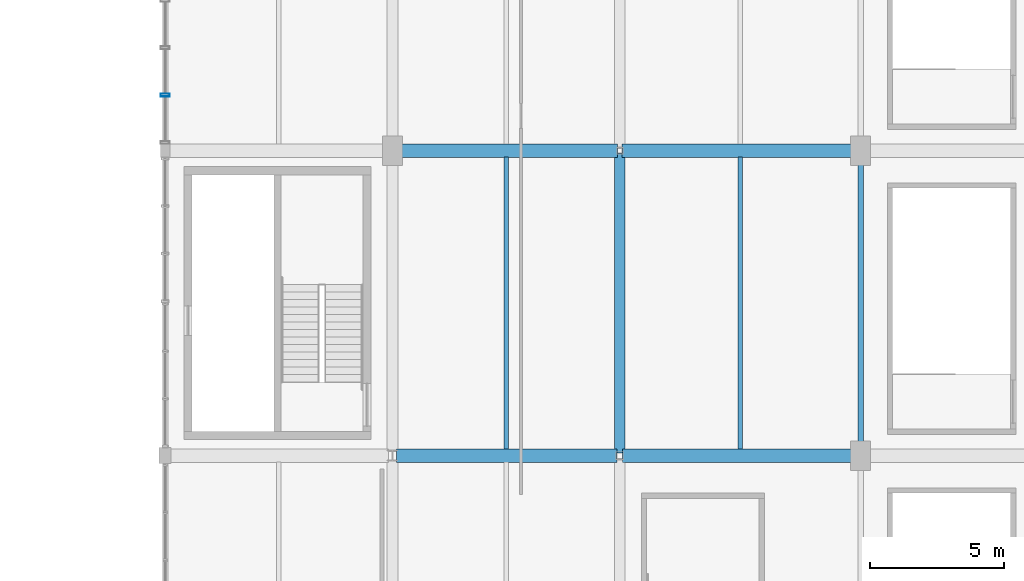
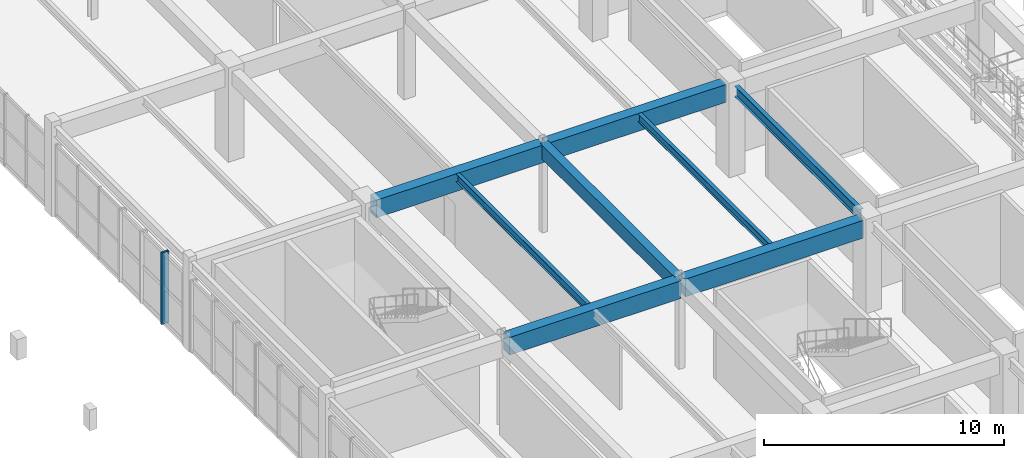
# One storey, part 41 of 106: 8 beams, 1 member, 1 element without a shape of its own.
"""IFC4 building model written with IfcOpenShell, lengths in metres."""

from ifc_helpers import new_model, si_unit, direction, frame, origin, origin_2d, place, context, subcontext, project, spatial, rectangle, hollow_rectangle, i_section, extrude, material, layer, layer_set, material_profile, profile_set, type_object, element, aggregate, save


model = new_model("IFC4")

# Units and contexts
model_context = context("Model", 3, precision=1e-05, world=origin(), true_north=direction((0.0, 1.0)))
body_context = subcontext(model_context, "Body", "Model", "MODEL_VIEW")
ifc_project = project(units=[si_unit("LENGTHUNIT", "METRE"), si_unit("AREAUNIT", "SQUARE_METRE"), si_unit("VOLUMEUNIT", "CUBIC_METRE"), si_unit("PLANEANGLEUNIT", "RADIAN"), si_unit("MASSUNIT", "GRAM", prefix="KILO"), si_unit("POWERUNIT", "WATT"), si_unit("THERMODYNAMICTEMPERATUREUNIT", "KELVIN")], contexts=[model_context])

# Site, building, storey
site_placement = place(None, origin())
site = spatial("IfcSite", under=ifc_project, at=site_placement, CompositionType="ELEMENT")
building_placement = place(site_placement, origin())
building = spatial("IfcBuilding", under=site, at=building_placement, Name="Kelmbourne Parkland Aquatics Centre", CompositionType="ELEMENT")
storey_placement = place(building_placement, frame((0.0, 0.0, 5.39990234375)))
storey = spatial("IfcBuildingStorey", under=building, at=storey_placement, Name="L01", CompositionType="ELEMENT", Elevation=5.39990234375)

# Beams
ifc_material_1 = material(Name="Concrete C40/50", Category="concrete")
ifc_material_profile_1 = material_profile(ifc_material_1, rectangle(XDim=0.5, YDim=0.89990234375, at=origin_2d()), Name="RC 500x900")
ifc_profile_set_1 = profile_set([ifc_material_profile_1], Name="Concrete C40/50")
beam_type_1 = type_object("IfcBeamType", Name="BM-G03", PredefinedType="BEAM", material=ifc_profile_set_1)
beam_1_placement = place(storey_placement, frame((110.655029296875, 35.0, 4.110107421875), z_axis=(1.0, 0.0, 0.0), x_axis=(0.0, 1.0, 0.0)))
element("IfcBeam", 1, at=beam_1_placement, inside=storey, type_object=beam_type_1, Name="Primary girder N-O Grid 05 (L02)", PredefinedType="BEAM", context=body_context, shape_type="SweptSolid", body=[
    extrude(rectangle(XDim=0.5, YDim=0.89990234375, at=origin_2d()), origin(), (0.0, 0.0, 1.0), 8.239990234375),
])
beam_2_placement = place(storey_placement, frame((119.10498046875, 35.0, 4.110107421875), z_axis=(1.0, 0.0, 0.0), x_axis=(0.0, 1.0, 0.0)))
element("IfcBeam", 2, at=beam_2_placement, inside=storey, type_object=beam_type_1, Name="Primary girder O-P Grid 05 (L02)", PredefinedType="BEAM", context=body_context, shape_type="SweptSolid", body=[
    extrude(rectangle(XDim=0.5, YDim=0.89990234375, at=origin_2d()), origin(), (0.0, 0.0, 1.0), 8.56494140625),
])
beam_3_placement = place(storey_placement, frame((110.830078125, 46.39990234375, 4.110107421875), z_axis=(1.0, 0.0, 0.0), x_axis=(0.0, 1.0, 0.0)))
element("IfcBeam", 3, at=beam_3_placement, inside=storey, type_object=beam_type_1, Name="Primary girder N-O Grid 06 (L02)", PredefinedType="BEAM", context=body_context, shape_type="SweptSolid", body=[
    extrude(rectangle(XDim=0.5, YDim=0.89990234375, at=origin_2d()), origin(), (0.0, 0.0, 1.0), 8.08984375),
])
beam_4_placement = place(storey_placement, frame((119.080078125, 46.39990234375, 4.110107421875), z_axis=(1.0, 0.0, 0.0), x_axis=(0.0, 1.0, 0.0)))
element("IfcBeam", 4, at=beam_4_placement, inside=storey, type_object=beam_type_1, Name="Primary girder O-P Grid 06 (L02)", PredefinedType="BEAM", context=body_context, shape_type="SweptSolid", body=[
    extrude(rectangle(XDim=0.5, YDim=0.89990234375, at=origin_2d()), origin(), (0.0, 0.0, 1.0), 8.58984375),
])
ifc_material_profile_2 = material_profile(ifc_material_1, rectangle(XDim=0.39990234375, YDim=0.699951171875, at=origin_2d()), Name="RC 400x700")
ifc_profile_set_2 = profile_set([ifc_material_profile_2], Name="Concrete C40/50")
beam_type_2 = type_object("IfcBeamType", Name="BM-G05", PredefinedType="BEAM", material=ifc_profile_set_2)
beam_5_placement = place(storey_placement, frame((119.0, 35.10498046875, 4.210205078125), z_axis=(0.0, 1.0, 0.0), x_axis=(-1.0, 0.0, 0.0)))
element("IfcBeam", 5, at=beam_5_placement, inside=storey, type_object=beam_type_2, Name="Primary girder 05-06 Grid O (L02)", PredefinedType="BEAM", context=body_context, shape_type="SweptSolid", body=[
    extrude(rectangle(XDim=0.39990234375, YDim=0.699951171875, at=origin_2d()), origin(), (0.0, 0.0, 1.0), 11.215087890625),
])
ifc_material_2 = material(Name="Structural steel AS/NZS 3679.1 Grade 300", Category="steel")
ifc_material_profile_3 = material_profile(ifc_material_2, i_section(OverallWidth=0.177978515625, OverallDepth=0.406005859375, WebThickness=0.0078125, FlangeThickness=0.0126953125, at=origin_2d()), Name="410UB59.7")
ifc_profile_set_3 = profile_set([ifc_material_profile_3], Name="Structural steel AS/NZS 3679.1 Grade 300")
beam_type_3 = type_object("IfcBeamType", Name="BM-J01", PredefinedType="JOIST", material=ifc_profile_set_3)
for number, where, z_axis, x_axis, name in (
    (6, (114.75, 35.241943359375, 4.357177734375), (0.0, 1.0, 0.0), (-1.0, 0.0, 0.0), "Secondary floor joist N-O/05-06 #1 (L02)"),
    (7, (123.5, 35.241943359375, 4.357177734375), (0.0, 1.0, 0.0), (-1.0, 0.0, 0.0), "Secondary floor joist O-P/05-06 #1 (L02)"),
):
    element("IfcBeam", number, at=place(storey_placement, frame(where, z_axis=z_axis, x_axis=x_axis)), inside=storey, type_object=beam_type_3, Name=name, PredefinedType="JOIST", context=body_context, shape_type="SweptSolid", body=[
        extrude(i_section(OverallWidth=0.177978515625, OverallDepth=0.406005859375, WebThickness=0.0078125, FlangeThickness=0.0126953125, at=origin_2d()), origin(), (0.0, 0.0, 1.0), 10.916015625),
    ])
ifc_material_profile_4 = material_profile(ifc_material_2, i_section(OverallWidth=0.208984375, OverallDepth=0.532958984375, WebThickness=0.01025390625, FlangeThickness=0.015625, at=origin_2d()), Name="530UB92.4")
ifc_profile_set_4 = profile_set([ifc_material_profile_4], Name="Structural steel AS/NZS 3679.1 Grade 300")
beam_type_4 = type_object("IfcBeamType", Name="BM-SP02", PredefinedType="SPANDREL", material=ifc_profile_set_4)
beam_6_placement = place(storey_placement, frame((128.0, 35.5048828125, 4.293701171875), z_axis=(0.0, 1.0, 0.0), x_axis=(-1.0, 0.0, 0.0)))
element("IfcBeam", 8, at=beam_6_placement, inside=storey, type_object=beam_type_4, Name="Perimeter spandrel 05-06 Grid P (L02)", PredefinedType="SPANDREL", context=body_context, shape_type="SweptSolid", body=[
    extrude(i_section(OverallWidth=0.208984375, OverallDepth=0.532958984375, WebThickness=0.01025390625, FlangeThickness=0.015625, at=origin_2d()), origin(), (0.0, 0.0, 1.0), 10.39013671875),
])

# Curtain wall, member
ifc_material_3 = material(Name="Thermally broken anodised aluminium framing", Category="aluminium")
ifc_layer = layer(ifc_material_3, 0.179931640625)
ifc_layer_set = layer_set([ifc_layer], Name="Thermally broken anodised aluminium framing")
curtain_wall_type = type_object("IfcCurtainWallType", Name="CW-02", PredefinedType="NOTDEFINED", material=ifc_layer_set)
curtain_wall_placement = place(storey_placement, origin())
curtain_wall = element("IfcCurtainWall", 9, at=curtain_wall_placement, inside=storey, type_object=curtain_wall_type, Name="Facade curtain wall CW-L01-194", PredefinedType="NOTDEFINED")
ifc_material_profile_5 = material_profile(ifc_material_3, hollow_rectangle(XDim=0.10498046875, YDim=0.340087890625, WallThickness=0.006103515625, at=origin_2d()), Name="CW-M 105x340")
ifc_profile_set_5 = profile_set([ifc_material_profile_5], Name="Thermally broken anodised aluminium framing")
member_type = type_object("IfcMemberType", Name="MB-MUL-5", PredefinedType="MULLION", material=ifc_profile_set_5)
member_placement = place(storey_placement, frame((102.0, 48.477294921875, 0.0), z_axis=(0.0, 0.0, 1.0), x_axis=(0.0, 1.0, 0.0)))
member = element("IfcMember", 10, at=member_placement, type_object=member_type, Name="CW-L01-194 mullion 1", PredefinedType="MULLION", context=body_context, shape_type="SweptSolid", body=[
    extrude(hollow_rectangle(XDim=0.10498046875, YDim=0.340087890625, WallThickness=0.006103515625, at=origin_2d()), origin(), (0.0, 0.0, 1.0), 3.64501953125),
])
aggregate(curtain_wall, [member])

save(model, "model.ifc")
